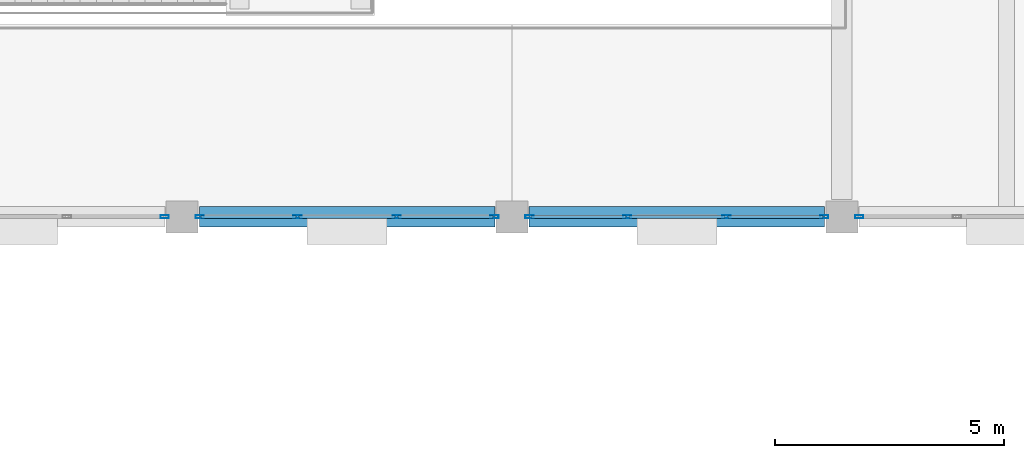
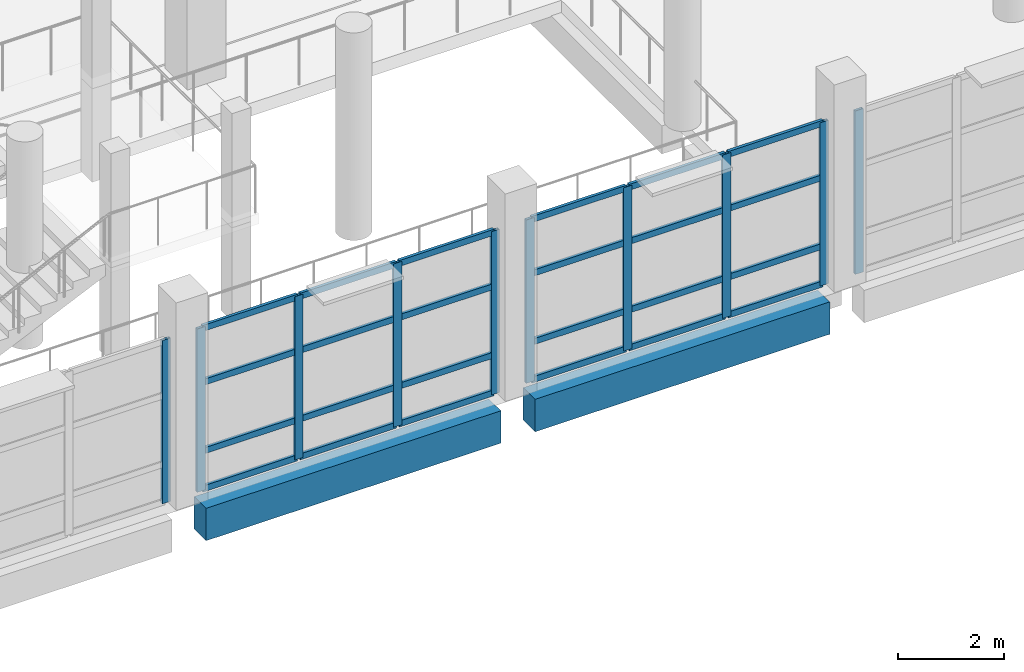
# One storey, part 35 of 91: 34 members, 2 beams, 4 elements without a shape of their own.
"""IFC4 building model written with IfcOpenShell, lengths in metres."""

from ifc_helpers import new_model, si_unit, direction, frame, origin, origin_2d, place, context, subcontext, project, spatial, rectangle, hollow_rectangle, extrude, material, material_profile, profile_set, type_object, element, aggregate, save


model = new_model("IFC4")

# Units and contexts
model_context = context("Model", 3, precision=1e-05, world=origin(), true_north=direction((0.0, 1.0)))
body_context = subcontext(model_context, "Body", "Model", "MODEL_VIEW")
ifc_project = project(units=[si_unit("LENGTHUNIT", "METRE"), si_unit("AREAUNIT", "SQUARE_METRE"), si_unit("VOLUMEUNIT", "CUBIC_METRE"), si_unit("PLANEANGLEUNIT", "RADIAN"), si_unit("MASSUNIT", "GRAM", prefix="KILO")], contexts=[model_context])

# Site, building, storey
site_placement = place(None, origin())
site = spatial("IfcSite", under=ifc_project, at=site_placement, CompositionType="ELEMENT")
building_placement = place(site_placement, origin())
building = spatial("IfcBuilding", under=site, at=building_placement, Name="Pellamere Symphony Hall", CompositionType="ELEMENT")
storey_placement = place(building_placement, frame((0.0, 0.0, 5.39990234375)))
storey = spatial("IfcBuildingStorey", under=building, at=storey_placement, Name="L01", CompositionType="ELEMENT", Elevation=5.39990234375)

# Curtain wall, member
ifc_material_1 = material(Name="Thermally Broken Anodised Aluminium 6063-T6 Curtain Wall", Category="aluminium")
curtain_wall_type = type_object("IfcCurtainWallType", Name="Curtain Wall CW-02 (Winter-Garden South Concourse Curtain Wall)", PredefinedType="NOTDEFINED", material=ifc_material_1)
curtain_wall_1_placement = place(storey_placement, origin())
curtain_wall_1 = element("IfcCurtainWall", 1, at=curtain_wall_1_placement, inside=storey, type_object=curtain_wall_type, Name="Winter-Garden South Curtain Wall (L01 Bay 5)", PredefinedType="NOTDEFINED")
ifc_material_2 = material(Name="Anodised Architectural Aluminium 6063-T6", Category="aluminium")
ifc_material_profile_1 = material_profile(ifc_material_2, hollow_rectangle(XDim=0.06494140625, YDim=0.179931640625, WallThickness=0.00390625, at=origin_2d()), Name="ALU-M65X180X4")
ifc_profile_set_1 = profile_set([ifc_material_profile_1], Name="Anodised Architectural Aluminium 6063-T6")
member_type_1 = type_object("IfcMemberType", Name="Curtain Wall Mullion ML-02 ALU-M65X180X4", PredefinedType="MULLION", material=ifc_profile_set_1)
member_1_placement = place(storey_placement, frame((80.017578125, 18.0, 0.0), z_axis=(0.0, 0.0, 1.0), x_axis=(0.0, 1.0, 0.0)))
member_1 = element("IfcMember", 2, at=member_1_placement, type_object=member_type_1, Name="CW2-070 crystal mullion 4", PredefinedType="MULLION", context=body_context, shape_type="SweptSolid", body=[
    extrude(hollow_rectangle(XDim=0.06494140625, YDim=0.179931640625, WallThickness=0.00390625, at=origin_2d()), origin(), (0.0, 0.0, 1.0), 3.780029296875),
])
aggregate(curtain_wall_1, [member_1])

# Curtain wall, members
curtain_wall_2_placement = place(storey_placement, origin())
curtain_wall_2 = element("IfcCurtainWall", 3, at=curtain_wall_2_placement, inside=storey, type_object=curtain_wall_type, Name="Winter-Garden South Curtain Wall (L01 Bay 6)", PredefinedType="NOTDEFINED")
member_2_placement = place(storey_placement, frame((80.782470703125, 18.0, 0.0), z_axis=(0.0, 0.0, 1.0), x_axis=(0.0, 1.0, 0.0)))
member_2 = element("IfcMember", 4, at=member_2_placement, type_object=member_type_1, Name="CW2-071 crystal mullion 1", PredefinedType="MULLION", context=body_context, shape_type="SweptSolid", body=[
    extrude(hollow_rectangle(XDim=0.06494140625, YDim=0.179931640625, WallThickness=0.00390625, at=origin_2d()), origin(), (0.0, 0.0, 1.0), 3.780029296875),
])
member_3_placement = place(storey_placement, frame((82.916748046875, 18.0, 0.0), z_axis=(0.0, 0.0, 1.0), x_axis=(0.0, 1.0, 0.0)))
member_3 = element("IfcMember", 5, at=member_3_placement, type_object=member_type_1, Name="CW2-071 crystal mullion 2", PredefinedType="MULLION", context=body_context, shape_type="SweptSolid", body=[
    extrude(hollow_rectangle(XDim=0.06494140625, YDim=0.179931640625, WallThickness=0.00390625, at=origin_2d()), origin(), (0.0, 0.0, 1.0), 3.780029296875),
])
member_4_placement = place(storey_placement, frame((85.083251953125, 18.0, 0.0), z_axis=(0.0, 0.0, 1.0), x_axis=(0.0, 1.0, 0.0)))
member_4 = element("IfcMember", 6, at=member_4_placement, type_object=member_type_1, Name="CW2-071 crystal mullion 3", PredefinedType="MULLION", context=body_context, shape_type="SweptSolid", body=[
    extrude(hollow_rectangle(XDim=0.06494140625, YDim=0.179931640625, WallThickness=0.00390625, at=origin_2d()), origin(), (0.0, 0.0, 1.0), 3.780029296875),
])
member_5_placement = place(storey_placement, frame((87.217529296875, 18.0, 0.0), z_axis=(0.0, 0.0, 1.0), x_axis=(0.0, 1.0, 0.0)))
member_5 = element("IfcMember", 7, at=member_5_placement, type_object=member_type_1, Name="CW2-071 crystal mullion 4", PredefinedType="MULLION", context=body_context, shape_type="SweptSolid", body=[
    extrude(hollow_rectangle(XDim=0.06494140625, YDim=0.179931640625, WallThickness=0.00390625, at=origin_2d()), origin(), (0.0, 0.0, 1.0), 3.780029296875),
])

curtain_wall_3_placement = place(storey_placement, origin())
curtain_wall_3 = element("IfcCurtainWall", 8, at=curtain_wall_3_placement, inside=storey, type_object=curtain_wall_type, Name="Winter-Garden South Curtain Wall (L01 Bay 7)", PredefinedType="NOTDEFINED")
member_6_placement = place(storey_placement, frame((87.982421875, 18.0, 0.0), z_axis=(0.0, 0.0, 1.0), x_axis=(0.0, 1.0, 0.0)))
member_6 = element("IfcMember", 9, at=member_6_placement, type_object=member_type_1, Name="CW2-072 crystal mullion 1", PredefinedType="MULLION", context=body_context, shape_type="SweptSolid", body=[
    extrude(hollow_rectangle(XDim=0.06494140625, YDim=0.179931640625, WallThickness=0.00390625, at=origin_2d()), origin(), (0.0, 0.0, 1.0), 3.780029296875),
])
member_7_placement = place(storey_placement, frame((90.11669921875, 18.0, 0.0), z_axis=(0.0, 0.0, 1.0), x_axis=(0.0, 1.0, 0.0)))
member_7 = element("IfcMember", 10, at=member_7_placement, type_object=member_type_1, Name="CW2-072 crystal mullion 2", PredefinedType="MULLION", context=body_context, shape_type="SweptSolid", body=[
    extrude(hollow_rectangle(XDim=0.06494140625, YDim=0.179931640625, WallThickness=0.00390625, at=origin_2d()), origin(), (0.0, 0.0, 1.0), 3.780029296875),
])
member_8_placement = place(storey_placement, frame((92.283447265625, 18.0, 0.0), z_axis=(0.0, 0.0, 1.0), x_axis=(0.0, 1.0, 0.0)))
member_8 = element("IfcMember", 11, at=member_8_placement, type_object=member_type_1, Name="CW2-072 crystal mullion 3", PredefinedType="MULLION", context=body_context, shape_type="SweptSolid", body=[
    extrude(hollow_rectangle(XDim=0.06494140625, YDim=0.179931640625, WallThickness=0.00390625, at=origin_2d()), origin(), (0.0, 0.0, 1.0), 3.780029296875),
])
member_9_placement = place(storey_placement, frame((94.41748046875, 18.0, 0.0), z_axis=(0.0, 0.0, 1.0), x_axis=(0.0, 1.0, 0.0)))
member_9 = element("IfcMember", 12, at=member_9_placement, type_object=member_type_1, Name="CW2-072 crystal mullion 4", PredefinedType="MULLION", context=body_context, shape_type="SweptSolid", body=[
    extrude(hollow_rectangle(XDim=0.06494140625, YDim=0.179931640625, WallThickness=0.00390625, at=origin_2d()), origin(), (0.0, 0.0, 1.0), 3.780029296875),
])

# Curtain wall, member
curtain_wall_4_placement = place(storey_placement, origin())
curtain_wall_4 = element("IfcCurtainWall", 13, at=curtain_wall_4_placement, inside=storey, type_object=curtain_wall_type, Name="Winter-Garden South Curtain Wall (L01 Bay 8)", PredefinedType="NOTDEFINED")
member_10_placement = place(storey_placement, frame((95.1826171875, 18.0, 0.0), z_axis=(0.0, 0.0, 1.0), x_axis=(0.0, 1.0, 0.0)))
member_10 = element("IfcMember", 14, at=member_10_placement, type_object=member_type_1, Name="CW2-073 crystal mullion 1", PredefinedType="MULLION", context=body_context, shape_type="SweptSolid", body=[
    extrude(hollow_rectangle(XDim=0.06494140625, YDim=0.179931640625, WallThickness=0.00390625, at=origin_2d()), origin(), (0.0, 0.0, 1.0), 3.780029296875),
])
aggregate(curtain_wall_4, [member_10])

# Member
ifc_material_profile_2 = material_profile(ifc_material_2, hollow_rectangle(XDim=0.06494140625, YDim=0.139892578125, WallThickness=0.00390625, at=origin_2d()), Name="ALU-T65X140X4")
ifc_profile_set_2 = profile_set([ifc_material_profile_2], Name="Anodised Architectural Aluminium 6063-T6")
member_type_2 = type_object("IfcMemberType", Name="Curtain Wall Transom TR-02 ALU-T65X140X4", PredefinedType="USERDEFINED", material=ifc_profile_set_2)
member_11_placement = place(storey_placement, frame((80.81494140625, 18.0, 0.03271484375), z_axis=(1.0, 0.0, 0.0), x_axis=(0.0, 1.0, 0.0)))
member_11 = element("IfcMember", 15, at=member_11_placement, type_object=member_type_2, Name="CW2-071 crystal transom 1.1", ObjectType="TRANSOM", PredefinedType="USERDEFINED", context=body_context, shape_type="SweptSolid", body=[
    extrude(hollow_rectangle(XDim=0.06494140625, YDim=0.139892578125, WallThickness=0.00390625, at=origin_2d()), origin(), (0.0, 0.0, 1.0), 2.0693359375),
])

member_12_placement = place(storey_placement, frame((80.81494140625, 18.0, 0.9072265625), z_axis=(1.0, 0.0, 0.0), x_axis=(0.0, 1.0, 0.0)))
member_12 = element("IfcMember", 16, at=member_12_placement, type_object=member_type_2, Name="CW2-071 crystal transom 1.2", ObjectType="TRANSOM", PredefinedType="USERDEFINED", context=body_context, shape_type="SweptSolid", body=[
    extrude(hollow_rectangle(XDim=0.06494140625, YDim=0.139892578125, WallThickness=0.00390625, at=origin_2d()), origin(), (0.0, 0.0, 1.0), 2.0693359375),
])

member_13_placement = place(storey_placement, frame((80.81494140625, 18.0, 2.494873046875), z_axis=(1.0, 0.0, 0.0), x_axis=(0.0, 1.0, 0.0)))
member_13 = element("IfcMember", 17, at=member_13_placement, type_object=member_type_2, Name="CW2-071 crystal transom 1.3", ObjectType="TRANSOM", PredefinedType="USERDEFINED", context=body_context, shape_type="SweptSolid", body=[
    extrude(hollow_rectangle(XDim=0.06494140625, YDim=0.139892578125, WallThickness=0.00390625, at=origin_2d()), origin(), (0.0, 0.0, 1.0), 2.0693359375),
])

member_14_placement = place(storey_placement, frame((80.81494140625, 18.0, 3.74755859375), z_axis=(1.0, 0.0, 0.0), x_axis=(0.0, 1.0, 0.0)))
member_14 = element("IfcMember", 18, at=member_14_placement, type_object=member_type_2, Name="CW2-071 crystal transom 1.4", ObjectType="TRANSOM", PredefinedType="USERDEFINED", context=body_context, shape_type="SweptSolid", body=[
    extrude(hollow_rectangle(XDim=0.06494140625, YDim=0.139892578125, WallThickness=0.00390625, at=origin_2d()), origin(), (0.0, 0.0, 1.0), 2.0693359375),
])

member_15_placement = place(storey_placement, frame((82.94921875, 18.0, 0.03271484375), z_axis=(1.0, 0.0, 0.0), x_axis=(0.0, 1.0, 0.0)))
member_15 = element("IfcMember", 19, at=member_15_placement, type_object=member_type_2, Name="CW2-071 crystal transom 2.1", ObjectType="TRANSOM", PredefinedType="USERDEFINED", context=body_context, shape_type="SweptSolid", body=[
    extrude(hollow_rectangle(XDim=0.06494140625, YDim=0.139892578125, WallThickness=0.00390625, at=origin_2d()), origin(), (0.0, 0.0, 1.0), 2.1015625),
])

member_16_placement = place(storey_placement, frame((82.94921875, 18.0, 0.9072265625), z_axis=(1.0, 0.0, 0.0), x_axis=(0.0, 1.0, 0.0)))
member_16 = element("IfcMember", 20, at=member_16_placement, type_object=member_type_2, Name="CW2-071 crystal transom 2.2", ObjectType="TRANSOM", PredefinedType="USERDEFINED", context=body_context, shape_type="SweptSolid", body=[
    extrude(hollow_rectangle(XDim=0.06494140625, YDim=0.139892578125, WallThickness=0.00390625, at=origin_2d()), origin(), (0.0, 0.0, 1.0), 2.1015625),
])

member_17_placement = place(storey_placement, frame((82.94921875, 18.0, 2.494873046875), z_axis=(1.0, 0.0, 0.0), x_axis=(0.0, 1.0, 0.0)))
member_17 = element("IfcMember", 21, at=member_17_placement, type_object=member_type_2, Name="CW2-071 crystal transom 2.3", ObjectType="TRANSOM", PredefinedType="USERDEFINED", context=body_context, shape_type="SweptSolid", body=[
    extrude(hollow_rectangle(XDim=0.06494140625, YDim=0.139892578125, WallThickness=0.00390625, at=origin_2d()), origin(), (0.0, 0.0, 1.0), 2.1015625),
])

member_18_placement = place(storey_placement, frame((82.94921875, 18.0, 3.74755859375), z_axis=(1.0, 0.0, 0.0), x_axis=(0.0, 1.0, 0.0)))
member_18 = element("IfcMember", 22, at=member_18_placement, type_object=member_type_2, Name="CW2-071 crystal transom 2.4", ObjectType="TRANSOM", PredefinedType="USERDEFINED", context=body_context, shape_type="SweptSolid", body=[
    extrude(hollow_rectangle(XDim=0.06494140625, YDim=0.139892578125, WallThickness=0.00390625, at=origin_2d()), origin(), (0.0, 0.0, 1.0), 2.1015625),
])

member_19_placement = place(storey_placement, frame((85.11572265625, 18.0, 0.03271484375), z_axis=(1.0, 0.0, 0.0), x_axis=(0.0, 1.0, 0.0)))
member_19 = element("IfcMember", 23, at=member_19_placement, type_object=member_type_2, Name="CW2-071 crystal transom 3.1", ObjectType="TRANSOM", PredefinedType="USERDEFINED", context=body_context, shape_type="SweptSolid", body=[
    extrude(hollow_rectangle(XDim=0.06494140625, YDim=0.139892578125, WallThickness=0.00390625, at=origin_2d()), origin(), (0.0, 0.0, 1.0), 2.0693359375),
])

member_20_placement = place(storey_placement, frame((85.11572265625, 18.0, 0.9072265625), z_axis=(1.0, 0.0, 0.0), x_axis=(0.0, 1.0, 0.0)))
member_20 = element("IfcMember", 24, at=member_20_placement, type_object=member_type_2, Name="CW2-071 crystal transom 3.2", ObjectType="TRANSOM", PredefinedType="USERDEFINED", context=body_context, shape_type="SweptSolid", body=[
    extrude(hollow_rectangle(XDim=0.06494140625, YDim=0.139892578125, WallThickness=0.00390625, at=origin_2d()), origin(), (0.0, 0.0, 1.0), 2.0693359375),
])

member_21_placement = place(storey_placement, frame((85.11572265625, 18.0, 2.494873046875), z_axis=(1.0, 0.0, 0.0), x_axis=(0.0, 1.0, 0.0)))
member_21 = element("IfcMember", 25, at=member_21_placement, type_object=member_type_2, Name="CW2-071 crystal transom 3.3", ObjectType="TRANSOM", PredefinedType="USERDEFINED", context=body_context, shape_type="SweptSolid", body=[
    extrude(hollow_rectangle(XDim=0.06494140625, YDim=0.139892578125, WallThickness=0.00390625, at=origin_2d()), origin(), (0.0, 0.0, 1.0), 2.0693359375),
])

member_22_placement = place(storey_placement, frame((85.11572265625, 18.0, 3.74755859375), z_axis=(1.0, 0.0, 0.0), x_axis=(0.0, 1.0, 0.0)))
member_22 = element("IfcMember", 26, at=member_22_placement, type_object=member_type_2, Name="CW2-071 crystal transom 3.4", ObjectType="TRANSOM", PredefinedType="USERDEFINED", context=body_context, shape_type="SweptSolid", body=[
    extrude(hollow_rectangle(XDim=0.06494140625, YDim=0.139892578125, WallThickness=0.00390625, at=origin_2d()), origin(), (0.0, 0.0, 1.0), 2.0693359375),
])

aggregate(curtain_wall_2, [member_2, member_3, member_4, member_5, member_11, member_12, member_13, member_14, member_15, member_16, member_17, member_18, member_19, member_20, member_21, member_22])

member_23_placement = place(storey_placement, frame((88.014892578125, 18.0, 0.03271484375), z_axis=(1.0, 0.0, 0.0), x_axis=(0.0, 1.0, 0.0)))
member_23 = element("IfcMember", 27, at=member_23_placement, type_object=member_type_2, Name="CW2-072 crystal transom 1.1", ObjectType="TRANSOM", PredefinedType="USERDEFINED", context=body_context, shape_type="SweptSolid", body=[
    extrude(hollow_rectangle(XDim=0.06494140625, YDim=0.139892578125, WallThickness=0.00390625, at=origin_2d()), origin(), (0.0, 0.0, 1.0), 2.0693359375),
])

member_24_placement = place(storey_placement, frame((88.014892578125, 18.0, 0.9072265625), z_axis=(1.0, 0.0, 0.0), x_axis=(0.0, 1.0, 0.0)))
member_24 = element("IfcMember", 28, at=member_24_placement, type_object=member_type_2, Name="CW2-072 crystal transom 1.2", ObjectType="TRANSOM", PredefinedType="USERDEFINED", context=body_context, shape_type="SweptSolid", body=[
    extrude(hollow_rectangle(XDim=0.06494140625, YDim=0.139892578125, WallThickness=0.00390625, at=origin_2d()), origin(), (0.0, 0.0, 1.0), 2.0693359375),
])

member_25_placement = place(storey_placement, frame((88.014892578125, 18.0, 2.494873046875), z_axis=(1.0, 0.0, 0.0), x_axis=(0.0, 1.0, 0.0)))
member_25 = element("IfcMember", 29, at=member_25_placement, type_object=member_type_2, Name="CW2-072 crystal transom 1.3", ObjectType="TRANSOM", PredefinedType="USERDEFINED", context=body_context, shape_type="SweptSolid", body=[
    extrude(hollow_rectangle(XDim=0.06494140625, YDim=0.139892578125, WallThickness=0.00390625, at=origin_2d()), origin(), (0.0, 0.0, 1.0), 2.0693359375),
])

member_26_placement = place(storey_placement, frame((88.014892578125, 18.0, 3.74755859375), z_axis=(1.0, 0.0, 0.0), x_axis=(0.0, 1.0, 0.0)))
member_26 = element("IfcMember", 30, at=member_26_placement, type_object=member_type_2, Name="CW2-072 crystal transom 1.4", ObjectType="TRANSOM", PredefinedType="USERDEFINED", context=body_context, shape_type="SweptSolid", body=[
    extrude(hollow_rectangle(XDim=0.06494140625, YDim=0.139892578125, WallThickness=0.00390625, at=origin_2d()), origin(), (0.0, 0.0, 1.0), 2.0693359375),
])

member_27_placement = place(storey_placement, frame((90.149169921875, 18.0, 0.03271484375), z_axis=(1.0, 0.0, 0.0), x_axis=(0.0, 1.0, 0.0)))
member_27 = element("IfcMember", 31, at=member_27_placement, type_object=member_type_2, Name="CW2-072 crystal transom 2.1", ObjectType="TRANSOM", PredefinedType="USERDEFINED", context=body_context, shape_type="SweptSolid", body=[
    extrude(hollow_rectangle(XDim=0.06494140625, YDim=0.139892578125, WallThickness=0.00390625, at=origin_2d()), origin(), (0.0, 0.0, 1.0), 2.1015625),
])

member_28_placement = place(storey_placement, frame((90.149169921875, 18.0, 0.9072265625), z_axis=(1.0, 0.0, 0.0), x_axis=(0.0, 1.0, 0.0)))
member_28 = element("IfcMember", 32, at=member_28_placement, type_object=member_type_2, Name="CW2-072 crystal transom 2.2", ObjectType="TRANSOM", PredefinedType="USERDEFINED", context=body_context, shape_type="SweptSolid", body=[
    extrude(hollow_rectangle(XDim=0.06494140625, YDim=0.139892578125, WallThickness=0.00390625, at=origin_2d()), origin(), (0.0, 0.0, 1.0), 2.1015625),
])

member_29_placement = place(storey_placement, frame((90.149169921875, 18.0, 2.494873046875), z_axis=(1.0, 0.0, 0.0), x_axis=(0.0, 1.0, 0.0)))
member_29 = element("IfcMember", 33, at=member_29_placement, type_object=member_type_2, Name="CW2-072 crystal transom 2.3", ObjectType="TRANSOM", PredefinedType="USERDEFINED", context=body_context, shape_type="SweptSolid", body=[
    extrude(hollow_rectangle(XDim=0.06494140625, YDim=0.139892578125, WallThickness=0.00390625, at=origin_2d()), origin(), (0.0, 0.0, 1.0), 2.1015625),
])

member_30_placement = place(storey_placement, frame((90.149169921875, 18.0, 3.74755859375), z_axis=(1.0, 0.0, 0.0), x_axis=(0.0, 1.0, 0.0)))
member_30 = element("IfcMember", 34, at=member_30_placement, type_object=member_type_2, Name="CW2-072 crystal transom 2.4", ObjectType="TRANSOM", PredefinedType="USERDEFINED", context=body_context, shape_type="SweptSolid", body=[
    extrude(hollow_rectangle(XDim=0.06494140625, YDim=0.139892578125, WallThickness=0.00390625, at=origin_2d()), origin(), (0.0, 0.0, 1.0), 2.1015625),
])

member_31_placement = place(storey_placement, frame((92.31591796875, 18.0, 0.03271484375), z_axis=(1.0, 0.0, 0.0), x_axis=(0.0, 1.0, 0.0)))
member_31 = element("IfcMember", 35, at=member_31_placement, type_object=member_type_2, Name="CW2-072 crystal transom 3.1", ObjectType="TRANSOM", PredefinedType="USERDEFINED", context=body_context, shape_type="SweptSolid", body=[
    extrude(hollow_rectangle(XDim=0.06494140625, YDim=0.139892578125, WallThickness=0.00390625, at=origin_2d()), origin(), (0.0, 0.0, 1.0), 2.069091796875),
])

member_32_placement = place(storey_placement, frame((92.31591796875, 18.0, 0.9072265625), z_axis=(1.0, 0.0, 0.0), x_axis=(0.0, 1.0, 0.0)))
member_32 = element("IfcMember", 36, at=member_32_placement, type_object=member_type_2, Name="CW2-072 crystal transom 3.2", ObjectType="TRANSOM", PredefinedType="USERDEFINED", context=body_context, shape_type="SweptSolid", body=[
    extrude(hollow_rectangle(XDim=0.06494140625, YDim=0.139892578125, WallThickness=0.00390625, at=origin_2d()), origin(), (0.0, 0.0, 1.0), 2.069091796875),
])

member_33_placement = place(storey_placement, frame((92.31591796875, 18.0, 2.494873046875), z_axis=(1.0, 0.0, 0.0), x_axis=(0.0, 1.0, 0.0)))
member_33 = element("IfcMember", 37, at=member_33_placement, type_object=member_type_2, Name="CW2-072 crystal transom 3.3", ObjectType="TRANSOM", PredefinedType="USERDEFINED", context=body_context, shape_type="SweptSolid", body=[
    extrude(hollow_rectangle(XDim=0.06494140625, YDim=0.139892578125, WallThickness=0.00390625, at=origin_2d()), origin(), (0.0, 0.0, 1.0), 2.069091796875),
])

member_34_placement = place(storey_placement, frame((92.31591796875, 18.0, 3.74755859375), z_axis=(1.0, 0.0, 0.0), x_axis=(0.0, 1.0, 0.0)))
member_34 = element("IfcMember", 38, at=member_34_placement, type_object=member_type_2, Name="CW2-072 crystal transom 3.4", ObjectType="TRANSOM", PredefinedType="USERDEFINED", context=body_context, shape_type="SweptSolid", body=[
    extrude(hollow_rectangle(XDim=0.06494140625, YDim=0.139892578125, WallThickness=0.00390625, at=origin_2d()), origin(), (0.0, 0.0, 1.0), 2.069091796875),
])

aggregate(curtain_wall_3, [member_6, member_7, member_8, member_9, member_23, member_24, member_25, member_26, member_27, member_28, member_29, member_30, member_31, member_32, member_33, member_34])

# Beams
ifc_material_3 = material(Name="Concrete 40 MPa", Category="concrete")
ifc_material_profile_3 = material_profile(ifc_material_3, rectangle(XDim=0.449951171875, YDim=0.75, at=origin_2d()), Name="RC 450x750")
ifc_profile_set_3 = profile_set([ifc_material_profile_3], Name="Concrete 40 MPa")
beam_type = type_object("IfcBeamType", Name="RC CB-12 450x750", PredefinedType="SPANDREL", material=ifc_profile_set_3)
beam_1_placement = place(storey_placement, frame((80.77490234375, 18.0, -0.65478515625), z_axis=(1.0, 0.0, 0.0), x_axis=(0.0, 1.0, 0.0)))
element("IfcBeam", 39, at=beam_1_placement, inside=storey, type_object=beam_type, Name="Girder CB-12-X0552 (L01)", PredefinedType="SPANDREL", context=body_context, shape_type="SweptSolid", body=[
    extrude(rectangle(XDim=0.449951171875, YDim=0.75, at=origin_2d()), origin(), (0.0, 0.0, 1.0), 6.4501953125),
])
beam_2_placement = place(storey_placement, frame((87.97509765625, 18.0, -0.65478515625), z_axis=(1.0, 0.0, 0.0), x_axis=(0.0, 1.0, 0.0)))
element("IfcBeam", 40, at=beam_2_placement, inside=storey, type_object=beam_type, Name="Girder CB-12-X0553 (L01)", PredefinedType="SPANDREL", context=body_context, shape_type="SweptSolid", body=[
    extrude(rectangle(XDim=0.449951171875, YDim=0.75, at=origin_2d()), origin(), (0.0, 0.0, 1.0), 6.449951171875),
])

save(model, "model.ifc")
